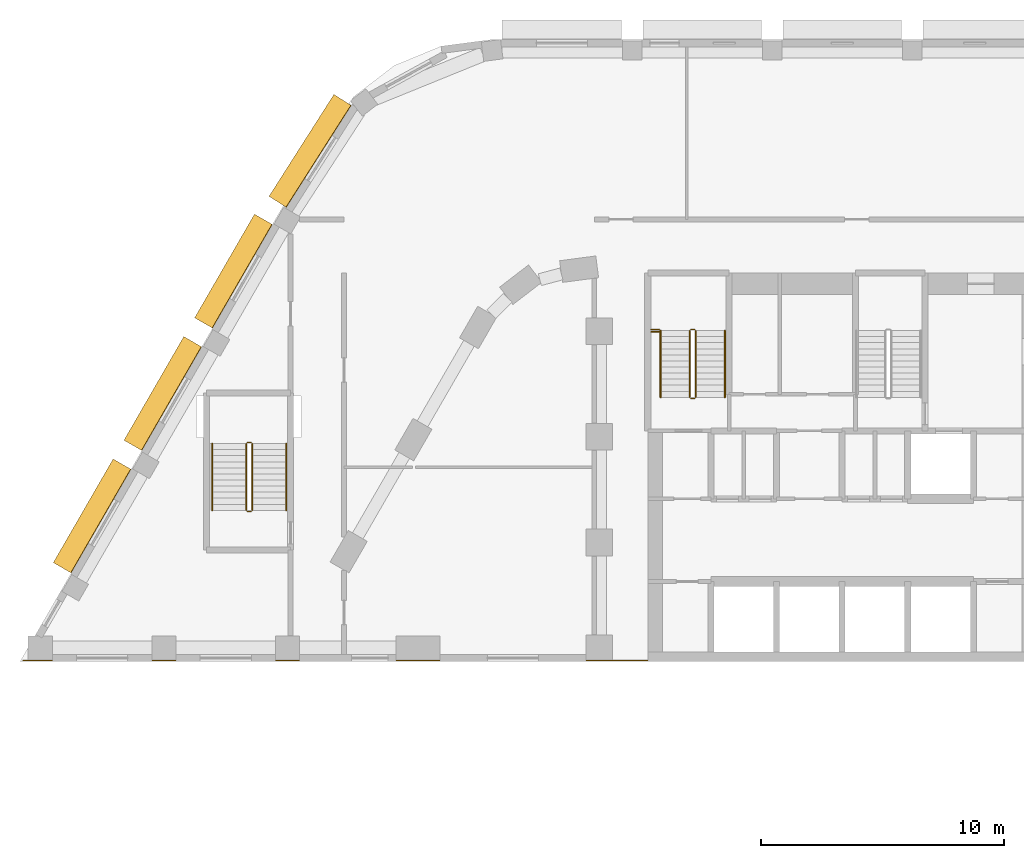
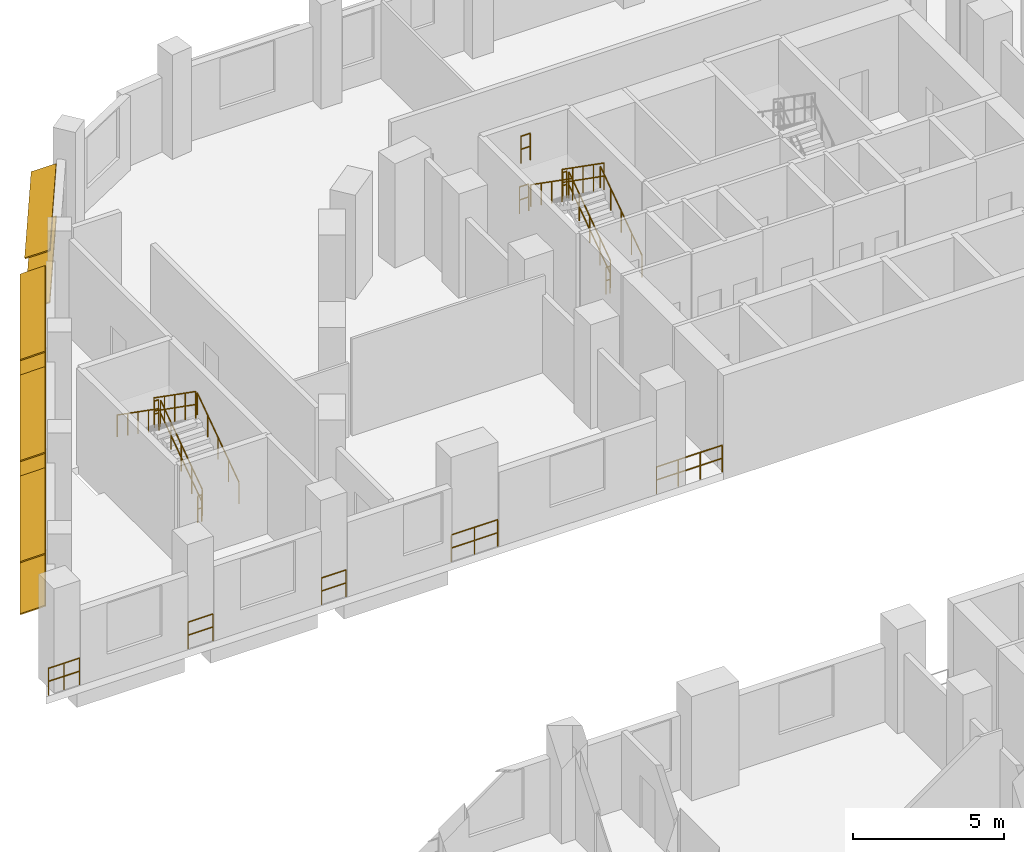
# One storey, part 38 of 45: 19 railings, 8 shading devices.
"""IFC4 building model written with IfcOpenShell, lengths in metres."""

import ifcopenshell
import ifcopenshell.guid

model = None  # the IFC model being written
_history = None  # IfcOwnerHistory: only IFC2X3 demands one
_inside = {}  # id of a spatial element -> (the spatial element, [elements in it])
_under = {}  # id of a project, library or spatial element -> (it, [spatial elements below it])
_declared = {}  # id of a project -> (the project, [libraries it declares])
_typed = {}  # id of a type object -> (the type object, [elements of that type])
_made_of = {}  # id of a material, layer set ... -> (it, [elements and type objects made of it])


def new_model(schema):
    """Start an empty IFC model of exactly this schema.

    Asked for "IFC4X3", IfcOpenShell would pick the latest addendum, in which some entities
    have other attributes; the version numbers below select the first issue.
    IFC2X3 requires an IfcOwnerHistory on every rooted entity: one is made here for all.
    """
    global model, _history
    if schema == "IFC4X3":
        model = ifcopenshell.file(schema_version=(4, 3, 0, 0))
    else:
        model = ifcopenshell.file(schema=schema)
    _inside.clear()
    _under.clear()
    _declared.clear()
    _typed.clear()
    _made_of.clear()
    _history = None
    if model.schema == "IFC2X3":
        org = make("IfcOrganization", Name="unknown")
        user = make(
            "IfcPersonAndOrganization",
            ThePerson=make("IfcPerson", FamilyName="unknown"),
            TheOrganization=org,
        )
        app = make(
            "IfcApplication",
            ApplicationDeveloper=org,
            Version="unknown",
            ApplicationFullName="unknown",
            ApplicationIdentifier="unknown",
        )
        _history = make(
            "IfcOwnerHistory",
            OwningUser=user,
            OwningApplication=app,
            ChangeAction="ADDED",
            CreationDate=0,
        )
    return model


def make(cls, **values):
    """One entity of the class cls with the attributes given. An attribute that is None is left unset."""
    return model.create_entity(
        cls, **{name: value for name, value in values.items() if value is not None}
    )


def rooted(cls, **values):
    """An entity with a GlobalId (a new one), such as an element, a storey or a relation."""
    return make(cls, GlobalId=ifcopenshell.guid.new(), OwnerHistory=_history, **values)


def si_unit(unit_type, name, prefix=None):
    """IfcSIUnit, for example si_unit("LENGTHUNIT", "METRE", prefix="MILLI")."""
    return make("IfcSIUnit", UnitType=unit_type, Prefix=prefix, Name=name)


def assignment(units):
    """IfcUnitAssignment: the units of a project."""
    return None if units is None else make("IfcUnitAssignment", Units=units)


def point(xyz):
    """IfcCartesianPoint."""
    return None if xyz is None else make("IfcCartesianPoint", Coordinates=xyz)


def direction(xyz):
    """IfcDirection."""
    return None if xyz is None else make("IfcDirection", DirectionRatios=xyz)


def frame(location, z_axis=None, x_axis=None):
    """IfcAxis2Placement3D, a coordinate frame: its origin and axes. An axis left out is left unset."""
    return make(
        "IfcAxis2Placement3D",
        Location=point(location),
        Axis=direction(z_axis),
        RefDirection=direction(x_axis),
    )


def frame_2d(location, x_axis=None):
    """IfcAxis2Placement2D, a coordinate frame in the plane: its origin and x axis."""
    return make(
        "IfcAxis2Placement2D", Location=point(location), RefDirection=direction(x_axis)
    )


def origin():
    """The frame at (0, 0, 0) with its axes left unset."""
    return frame((0.0, 0.0, 0.0))


def origin_2d():
    """The frame at (0, 0) in the plane with its x axis left unset."""
    return frame_2d((0.0, 0.0))


def place(relative_to, where):
    """IfcLocalPlacement: puts the frame where relative to a parent placement (None: the world)."""
    return make(
        "IfcLocalPlacement", PlacementRelTo=relative_to, RelativePlacement=where
    )


def context(
    kind, dimensions, precision=None, world=None, true_north=None, identifier=None
):
    """IfcGeometricRepresentationContext, for example the 3D "Model" context."""
    return make(
        "IfcGeometricRepresentationContext",
        ContextIdentifier=identifier,
        ContextType=kind,
        CoordinateSpaceDimension=dimensions,
        Precision=precision,
        WorldCoordinateSystem=world,
        TrueNorth=true_north,
    )


def subcontext(parent, identifier, kind, view, scale=None):
    """IfcGeometricRepresentationSubContext, for example "Body" below "Model"."""
    return make(
        "IfcGeometricRepresentationSubContext",
        ContextIdentifier=identifier,
        ContextType=kind,
        ParentContext=parent,
        TargetScale=scale,
        TargetView=view,
    )


def project(units=None, contexts=None):
    """IfcProject with its units and contexts."""
    return rooted(
        "IfcProject",
        Name="project",
        RepresentationContexts=contexts,
        UnitsInContext=assignment(units),
    )


def spatial(cls, under=None, at=None, **own):
    """A site, building, storey or space (cls), placed at a placement, below another one or the project."""
    s = rooted(cls, ObjectPlacement=at, **own)
    if under is not None:
        _under.setdefault(under.id(), (under, []))[1].append(s)
    return s


def profile(cls, at=None, kind="AREA", **sizes):
    """A parametric profile (cls). Its sizes go by their IFC names, for example OverallWidth=200.0."""
    return make(cls, ProfileType=kind, Position=at, **sizes)


def rectangle(**sizes):
    """IfcRectangleProfileDef."""
    return profile("IfcRectangleProfileDef", **sizes)


def circle(**sizes):
    """IfcCircleProfileDef."""
    return profile("IfcCircleProfileDef", **sizes)


def extrude(swept, where, along, depth):
    """IfcExtrudedAreaSolid: the profile swept, set in the frame where, extruded along a direction by depth."""
    return make(
        "IfcExtrudedAreaSolid",
        SweptArea=swept,
        Position=where,
        ExtrudedDirection=direction(along),
        Depth=depth,
    )


def shape(context_of_items, identifier, shape_type, items):
    """IfcShapeRepresentation: the items that make up one representation, for example the "Body"."""
    return make(
        "IfcShapeRepresentation",
        ContextOfItems=context_of_items,
        RepresentationIdentifier=identifier,
        RepresentationType=shape_type,
        Items=items,
    )


def material(Name=None, Category=None):
    """IfcMaterial."""
    return make("IfcMaterial", Name=Name, Category=Category)


def material_profile(
    of_material, cross_section, Name=None, Category=None, Priority=None
):
    """IfcMaterialProfile: a cross section and its material."""
    return make(
        "IfcMaterialProfile",
        Name=Name,
        Material=of_material,
        Profile=cross_section,
        Priority=Priority,
        Category=Category,
    )


def profile_set(profiles, Name=None, composite=None):
    """IfcMaterialProfileSet."""
    return make(
        "IfcMaterialProfileSet",
        Name=Name,
        MaterialProfiles=profiles,
        CompositeProfile=composite,
    )


def made_of(thing, what):
    """Note that an element or type object is made of a material, layer set ...; save() writes the relation."""
    if what is not None:
        _made_of.setdefault(what.id(), (what, []))[1].append(thing)
    return thing


def type_object(cls, material=None, **own):
    """A type object (cls), such as IfcWallType, which elements share."""
    return made_of(rooted(cls, **own), material)


def element(
    cls,
    number,
    at=None,
    inside=None,
    cuts=None,
    type_object=None,
    material=None,
    context=None,
    identifier="Body",
    shape_type=None,
    held_by="IfcProductDefinitionShape",
    body=None,
    shapes=None,
    **own,
):
    """One element of the class cls, such as IfcWall. Its Tag is "e" and its number.

    at: its placement. inside: the storey or other place that contains it. cuts: it is an
    opening in that element (IfcRelVoidsElement). A single representation is given by context,
    identifier, shape_type and body (its items); several are given by shapes. held_by: the class
    of the entity that holds the representations. save() writes the other relations.
    """
    e = rooted(cls, Tag="e%d" % number, ObjectPlacement=at, **own)
    if body is not None:
        shapes = [shape(context, identifier, shape_type, body)]
    if shapes is not None:
        e.Representation = make(held_by, Representations=shapes)
    if inside is not None:
        _inside.setdefault(inside.id(), (inside, []))[1].append(e)
    if cuts is not None:
        rooted(
            "IfcRelVoidsElement", RelatingBuildingElement=cuts, RelatedOpeningElement=e
        )
    if type_object is not None:
        _typed.setdefault(type_object.id(), (type_object, []))[1].append(e)
    return made_of(e, material)


def aggregate(whole, parts):
    """IfcRelAggregates: a whole, such as a stair, and the parts it consists of."""
    return rooted("IfcRelAggregates", RelatingObject=whole, RelatedObjects=parts)


def save(model, path):
    """Write the relations noted so far, then the file.

    IfcRelAggregates (storeys below a building ...), IfcRelContainedInSpatialStructure (elements
    in a storey), IfcRelDefinesByType, IfcRelAssociatesMaterial and IfcRelDeclares: one each for
    every whole, place, type object, material and project.
    """
    for whole, parts in _under.values():
        aggregate(whole, parts)
    for where, things in _inside.values():
        rooted(
            "IfcRelContainedInSpatialStructure",
            RelatedElements=things,
            RelatingStructure=where,
        )
    for kind, things in _typed.values():
        rooted("IfcRelDefinesByType", RelatedObjects=things, RelatingType=kind)
    for what, things in _made_of.values():
        rooted("IfcRelAssociatesMaterial", RelatedObjects=things, RelatingMaterial=what)
    for by, libraries in _declared.values():
        rooted("IfcRelDeclares", RelatingContext=by, RelatedDefinitions=libraries)
    model.write(path)


model = new_model("IFC4")

# Units and contexts
model_context = context("Model", 3, precision=1e-05, world=origin(), true_north=direction((0.0, 1.0)))
body_context = subcontext(model_context, "Body", "Model", "MODEL_VIEW")
ifc_project = project(units=[si_unit("LENGTHUNIT", "METRE"), si_unit("AREAUNIT", "SQUARE_METRE"), si_unit("VOLUMEUNIT", "CUBIC_METRE"), si_unit("PLANEANGLEUNIT", "RADIAN"), si_unit("MASSUNIT", "GRAM", prefix="KILO")], contexts=[model_context])

# Site, building, storey
site_placement = place(None, origin())
site = spatial("IfcSite", under=ifc_project, at=site_placement, CompositionType="ELEMENT")
building_placement = place(site_placement, origin())
building = spatial("IfcBuilding", under=site, at=building_placement, Name="Nakaniwa Court", CompositionType="ELEMENT")
storey_placement = place(building_placement, frame((0.0, 0.0, 11.39990234375)))
storey = spatial("IfcBuildingStorey", under=building, at=storey_placement, Name="L02", CompositionType="ELEMENT", Elevation=11.39990234375)

# Shading devices
ifc_material_1 = material(Name="Perforated charcoal ceramic louvre blade")
ifc_material_profile = material_profile(ifc_material_1, rectangle(XDim=0.89990234375, YDim=0.050048828125, at=origin_2d()), Name="Perforated ceramic louvre blade")
ifc_profile_set = profile_set([ifc_material_profile], Name="Perforated charcoal ceramic louvre blade")
shading_device_type = type_object("IfcShadingDeviceType", Name="Perforated ceramic louvre blade", PredefinedType="JALOUSIE", material=ifc_profile_set)
for number, where, z_axis, x_axis, name in (
    (1, (56.184814453125, 105.6015625, 0.550048828125), (-0.499988503985, -0.86603204091, 0.0), (0.800109277096, -0.461929145323, 0.382683432365), "L02 perforated ceramic louvre blade w27 1"),
    (2, (56.184814453125, 105.6015625, 2.650146484375), (-0.499988503985, -0.86603204091, 0.0), (0.800109277096, -0.461929145323, 0.382683432365), "L02 perforated ceramic louvre blade w27 2"),
    (3, (53.2763671875, 100.564208984375, 0.550048828125), (-0.499951322638, -0.866053505849, 0.0), (0.800129108113, -0.461894794237, 0.382683432365), "L02 perforated ceramic louvre blade w28 1"),
    (4, (53.2763671875, 100.564208984375, 2.650146484375), (-0.499951322638, -0.866053505849, 0.0), (0.800129108113, -0.461894794237, 0.382683432365), "L02 perforated ceramic louvre blade w28 2"),
    (5, (50.3681640625, 95.526611328125, 0.550048828125), (-0.500009969958, -0.86601964755, 0.0), (0.800097827124, -0.461948977295, 0.382683432365), "L02 perforated ceramic louvre blade w29 1"),
    (6, (50.3681640625, 95.526611328125, 2.650146484375), (-0.500009969958, -0.86601964755, 0.0), (0.800097827124, -0.461948977295, 0.382683432365), "L02 perforated ceramic louvre blade w29 2"),
):
    element("IfcShadingDevice", number, at=place(storey_placement, frame(where, z_axis=z_axis, x_axis=x_axis)), inside=storey, type_object=shading_device_type, Name=name, PredefinedType="JALOUSIE", context=body_context, shape_type="SweptSolid", body=[
        extrude(rectangle(XDim=0.89990234375, YDim=0.050048828125, at=origin_2d()), origin(), (0.0, 0.0, 1.0), 4.9248046875),
    ])
for number, where, z_axis, x_axis, name in (
    (7, (59.44287109375, 110.513427734375, 0.550048828125), (-0.537237750098, -0.843430850675, 0.0), (0.775805827955, -0.494162831713, 0.392337116604), "L02 perforated ceramic louvre blade w53 1"),
    (8, (59.44287109375, 110.513427734375, 2.650146484375), (-0.537237750098, -0.843430850675, 0.0), (0.775805827955, -0.494162831713, 0.392337116604), "L02 perforated ceramic louvre blade w53 2"),
):
    element("IfcShadingDevice", number, at=place(storey_placement, frame(where, z_axis=z_axis, x_axis=x_axis)), inside=storey, type_object=shading_device_type, Name=name, PredefinedType="JALOUSIE", context=body_context, shape_type="SweptSolid", body=[
        extrude(rectangle(XDim=0.89990234375, YDim=0.050048828125, at=origin_2d()), origin(), (0.0, 0.0, 1.0), 4.970703125),
    ])

# Railings
ifc_material_2 = material(Name="Black powder coated steel guard", Category="steel")
railing_type_1 = type_object("IfcRailingType", Name="Stair guard 1100", PredefinedType="GUARDRAIL", material=ifc_material_2)
railing_1_placement = place(storey_placement, frame((73.97509765625, 98.27490234375, 0.175048828125)))
element("IfcRailing", 9, at=railing_1_placement, inside=storey, type_object=railing_type_1, Name="L02 ST1 stair guard 1", PredefinedType="GUARDRAIL", context=body_context, shape_type="SweptSolid", body=[
    extrude(circle(Radius=0.02392578125, at=origin_2d()), frame((0.0, 0.0, 1.076171875), z_axis=(0.0, 0.819225086817, 0.573472106672), x_axis=(-1.0, 0.0, 0.0)), (0.0, 0.0, 1.0), 3.35693359375),
    extrude(circle(Radius=0.02392578125, at=origin_2d()), frame((0.0, 0.0, 0.550048828125), z_axis=(0.0, 0.819225086817, 0.573472106672), x_axis=(-1.0, 0.0, 0.0)), (0.0, 0.0, 1.0), 3.35693359375),
    extrude(circle(Radius=0.02099609375, at=origin_2d()), origin(), (0.0, 0.0, 1.0), 1.052001953125),
    extrude(circle(Radius=0.02099609375, at=origin_2d()), frame((0.0, 0.6875, 0.481201171875)), (0.0, 0.0, 1.0), 1.052001953125),
    extrude(circle(Radius=0.02099609375, at=origin_2d()), frame((0.0, 1.375, 0.96240234375)), (0.0, 0.0, 1.0), 1.052001953125),
    extrude(circle(Radius=0.02099609375, at=origin_2d()), frame((0.0, 2.0625, 1.44384765625)), (0.0, 0.0, 1.0), 1.052001953125),
    extrude(circle(Radius=0.02099609375, at=origin_2d()), frame((0.0, 2.75, 1.925048828125)), (0.0, 0.0, 1.0), 1.052001953125),
])
railing_2_placement = place(storey_placement, frame((73.925048828125, 101.074951171875, 2.10009765625)))
element("IfcRailing", 10, at=railing_2_placement, inside=storey, type_object=railing_type_1, Name="L02 ST1 stair guard 2", PredefinedType="GUARDRAIL", context=body_context, shape_type="SweptSolid", body=[
    extrude(circle(Radius=0.02392578125, at=origin_2d()), frame((0.0, 0.0, 1.076171875), z_axis=(-1.0, 0.0, 0.0), x_axis=(0.0, -1.0, 0.0)), (0.0, 0.0, 1.0), 0.150146484375),
    extrude(circle(Radius=0.02392578125, at=origin_2d()), frame((0.0, 0.0, 0.550048828125), z_axis=(-1.0, 0.0, 0.0), x_axis=(0.0, -1.0, 0.0)), (0.0, 0.0, 1.0), 0.150146484375),
    extrude(circle(Radius=0.02099609375, at=origin_2d()), origin(), (0.0, 0.0, 1.0), 1.052001953125),
    extrude(circle(Radius=0.02099609375, at=origin_2d()), frame((-0.150146484375, 0.0, 0.0)), (0.0, 0.0, 1.0), 1.052001953125),
])
railing_3_placement = place(storey_placement, frame((73.72509765625, 101.02490234375, 2.275146484375)))
element("IfcRailing", 11, at=railing_3_placement, inside=storey, type_object=railing_type_1, Name="L02 ST1 stair guard 3", PredefinedType="GUARDRAIL", context=body_context, shape_type="SweptSolid", body=[
    extrude(circle(Radius=0.02392578125, at=origin_2d()), frame((0.0, 0.0, 1.076171875), z_axis=(0.0, -0.819225086817, 0.573472106672), x_axis=(1.0, 0.0, 0.0)), (0.0, 0.0, 1.0), 3.35693359375),
    extrude(circle(Radius=0.02392578125, at=origin_2d()), frame((0.0, 0.0, 0.550048828125), z_axis=(0.0, -0.819225086817, 0.573472106672), x_axis=(1.0, 0.0, 0.0)), (0.0, 0.0, 1.0), 3.35693359375),
    extrude(circle(Radius=0.02099609375, at=origin_2d()), origin(), (0.0, 0.0, 1.0), 1.052001953125),
    extrude(circle(Radius=0.02099609375, at=origin_2d()), frame((0.0, -0.6875, 0.481201171875)), (0.0, 0.0, 1.0), 1.052001953125),
    extrude(circle(Radius=0.02099609375, at=origin_2d()), frame((0.0, -1.375, 0.96240234375)), (0.0, 0.0, 1.0), 1.052001953125),
    extrude(circle(Radius=0.02099609375, at=origin_2d()), frame((0.0, -2.0625, 1.44384765625)), (0.0, 0.0, 1.0), 1.052001953125),
    extrude(circle(Radius=0.02099609375, at=origin_2d()), frame((0.0, -2.75, 1.925048828125)), (0.0, 0.0, 1.0), 1.052001953125),
])
railing_4_placement = place(storey_placement, frame((73.925048828125, 98.22509765625, 0.0)))
element("IfcRailing", 12, at=railing_4_placement, inside=storey, type_object=railing_type_1, Name="L02 ST1 stair guard 4", PredefinedType="GUARDRAIL", context=body_context, shape_type="SweptSolid", body=[
    extrude(circle(Radius=0.02392578125, at=origin_2d()), frame((0.0, 0.0, 1.076171875), z_axis=(-1.0, 0.0, 0.0), x_axis=(0.0, -1.0, 0.0)), (0.0, 0.0, 1.0), 0.150146484375),
    extrude(circle(Radius=0.02392578125, at=origin_2d()), frame((0.0, 0.0, 0.550048828125), z_axis=(-1.0, 0.0, 0.0), x_axis=(0.0, -1.0, 0.0)), (0.0, 0.0, 1.0), 0.150146484375),
    extrude(circle(Radius=0.02099609375, at=origin_2d()), origin(), (0.0, 0.0, 1.0), 1.052001953125),
    extrude(circle(Radius=0.02099609375, at=origin_2d()), frame((-0.150146484375, 0.0, 0.0)), (0.0, 0.0, 1.0), 1.052001953125),
])
for number, where, name in (
    (13, (72.125, 101.074951171875, 2.10009765625), "L02 ST1 landing side guard 1W"),
    (14, (72.125, 100.97509765625, 4.2001953125), "L02 ST1 floor edge guard 1W"),
):
    element("IfcRailing", number, at=place(storey_placement, frame(where)), inside=storey, type_object=railing_type_1, Name=name, PredefinedType="GUARDRAIL", context=body_context, shape_type="SweptSolid", body=[
        extrude(circle(Radius=0.02392578125, at=origin_2d()), frame((0.0, 0.0, 1.076171875), z_axis=(1.0, 0.0, 0.0), x_axis=(0.0, 1.0, 0.0)), (0.0, 0.0, 1.0), 0.35009765625),
        extrude(circle(Radius=0.02392578125, at=origin_2d()), frame((0.0, 0.0, 0.550048828125), z_axis=(1.0, 0.0, 0.0), x_axis=(0.0, 1.0, 0.0)), (0.0, 0.0, 1.0), 0.35009765625),
        extrude(circle(Radius=0.02099609375, at=origin_2d()), origin(), (0.0, 0.0, 1.0), 1.052001953125),
        extrude(circle(Radius=0.02099609375, at=origin_2d()), frame((0.35009765625, 0.0, 0.0)), (0.0, 0.0, 1.0), 1.052001953125),
    ])
railing_5_placement = place(storey_placement, frame((55.72509765625, 93.625, 0.175048828125)))
element("IfcRailing", 15, at=railing_5_placement, inside=storey, type_object=railing_type_1, Name="L02 SS2 stair guard 1", PredefinedType="GUARDRAIL", context=body_context, shape_type="SweptSolid", body=[
    extrude(circle(Radius=0.02392578125, at=origin_2d()), frame((0.0, 0.0, 1.076171875), z_axis=(0.0, 0.819225086817, 0.573472106672), x_axis=(-1.0, 0.0, 0.0)), (0.0, 0.0, 1.0), 3.35693359375),
    extrude(circle(Radius=0.02392578125, at=origin_2d()), frame((0.0, 0.0, 0.550048828125), z_axis=(0.0, 0.819225086817, 0.573472106672), x_axis=(-1.0, 0.0, 0.0)), (0.0, 0.0, 1.0), 3.35693359375),
    extrude(circle(Radius=0.02099609375, at=origin_2d()), origin(), (0.0, 0.0, 1.0), 1.052001953125),
    extrude(circle(Radius=0.02099609375, at=origin_2d()), frame((0.0, 0.6875, 0.481201171875)), (0.0, 0.0, 1.0), 1.052001953125),
    extrude(circle(Radius=0.02099609375, at=origin_2d()), frame((0.0, 1.375, 0.96240234375)), (0.0, 0.0, 1.0), 1.052001953125),
    extrude(circle(Radius=0.02099609375, at=origin_2d()), frame((0.0, 2.0625, 1.44384765625)), (0.0, 0.0, 1.0), 1.052001953125),
    extrude(circle(Radius=0.02099609375, at=origin_2d()), frame((0.0, 2.75, 1.925048828125)), (0.0, 0.0, 1.0), 1.052001953125),
])
railing_6_placement = place(storey_placement, frame((55.675048828125, 96.425048828125, 2.10009765625)))
element("IfcRailing", 16, at=railing_6_placement, inside=storey, type_object=railing_type_1, Name="L02 SS2 stair guard 2", PredefinedType="GUARDRAIL", context=body_context, shape_type="SweptSolid", body=[
    extrude(circle(Radius=0.02392578125, at=origin_2d()), frame((0.0, 0.0, 1.076171875), z_axis=(-1.0, 0.0, 0.0), x_axis=(0.0, -1.0, 0.0)), (0.0, 0.0, 1.0), 0.150146484375),
    extrude(circle(Radius=0.02392578125, at=origin_2d()), frame((0.0, 0.0, 0.550048828125), z_axis=(-1.0, 0.0, 0.0), x_axis=(0.0, -1.0, 0.0)), (0.0, 0.0, 1.0), 0.150146484375),
    extrude(circle(Radius=0.02099609375, at=origin_2d()), origin(), (0.0, 0.0, 1.0), 1.052001953125),
    extrude(circle(Radius=0.02099609375, at=origin_2d()), frame((-0.150146484375, 0.0, 0.0)), (0.0, 0.0, 1.0), 1.052001953125),
])
railing_7_placement = place(storey_placement, frame((55.47509765625, 96.375, 2.275146484375)))
element("IfcRailing", 17, at=railing_7_placement, inside=storey, type_object=railing_type_1, Name="L02 SS2 stair guard 3", PredefinedType="GUARDRAIL", context=body_context, shape_type="SweptSolid", body=[
    extrude(circle(Radius=0.02392578125, at=origin_2d()), frame((0.0, 0.0, 1.076171875), z_axis=(0.0, -0.819225086817, 0.573472106672), x_axis=(1.0, 0.0, 0.0)), (0.0, 0.0, 1.0), 3.35693359375),
    extrude(circle(Radius=0.02392578125, at=origin_2d()), frame((0.0, 0.0, 0.550048828125), z_axis=(0.0, -0.819225086817, 0.573472106672), x_axis=(1.0, 0.0, 0.0)), (0.0, 0.0, 1.0), 3.35693359375),
    extrude(circle(Radius=0.02099609375, at=origin_2d()), origin(), (0.0, 0.0, 1.0), 1.052001953125),
    extrude(circle(Radius=0.02099609375, at=origin_2d()), frame((0.0, -0.6875, 0.481201171875)), (0.0, 0.0, 1.0), 1.052001953125),
    extrude(circle(Radius=0.02099609375, at=origin_2d()), frame((0.0, -1.375, 0.96240234375)), (0.0, 0.0, 1.0), 1.052001953125),
    extrude(circle(Radius=0.02099609375, at=origin_2d()), frame((0.0, -2.0625, 1.44384765625)), (0.0, 0.0, 1.0), 1.052001953125),
    extrude(circle(Radius=0.02099609375, at=origin_2d()), frame((0.0, -2.75, 1.925048828125)), (0.0, 0.0, 1.0), 1.052001953125),
])
railing_8_placement = place(storey_placement, frame((55.675048828125, 93.574951171875, 0.0)))
element("IfcRailing", 18, at=railing_8_placement, inside=storey, type_object=railing_type_1, Name="L02 SS2 stair guard 4", PredefinedType="GUARDRAIL", context=body_context, shape_type="SweptSolid", body=[
    extrude(circle(Radius=0.02392578125, at=origin_2d()), frame((0.0, 0.0, 1.076171875), z_axis=(-1.0, 0.0, 0.0), x_axis=(0.0, -1.0, 0.0)), (0.0, 0.0, 1.0), 0.150146484375),
    extrude(circle(Radius=0.02392578125, at=origin_2d()), frame((0.0, 0.0, 0.550048828125), z_axis=(-1.0, 0.0, 0.0), x_axis=(0.0, -1.0, 0.0)), (0.0, 0.0, 1.0), 0.150146484375),
    extrude(circle(Radius=0.02099609375, at=origin_2d()), origin(), (0.0, 0.0, 1.0), 1.052001953125),
    extrude(circle(Radius=0.02099609375, at=origin_2d()), frame((-0.150146484375, 0.0, 0.0)), (0.0, 0.0, 1.0), 1.052001953125),
])
railing_9_placement = place(storey_placement, frame((71.985107421875, 87.449951171875, 0.0)))
element("IfcRailing", 19, at=railing_9_placement, inside=storey, type_object=railing_type_1, Name="GUARD GD-L02-036", PredefinedType="GUARDRAIL", context=body_context, shape_type="SweptSolid", body=[
    extrude(circle(Radius=0.02392578125, at=origin_2d()), frame((0.0, 0.0, 1.076171875), z_axis=(-1.0, 0.0, 0.0), x_axis=(0.0, -1.0, 0.0)), (0.0, 0.0, 1.0), 2.507080078125),
    extrude(circle(Radius=0.02392578125, at=origin_2d()), frame((0.0, 0.0, 0.550048828125), z_axis=(-1.0, 0.0, 0.0), x_axis=(0.0, -1.0, 0.0)), (0.0, 0.0, 1.0), 2.507080078125),
    extrude(circle(Radius=0.02099609375, at=origin_2d()), origin(), (0.0, 0.0, 1.0), 1.052001953125),
    extrude(circle(Radius=0.02099609375, at=origin_2d()), frame((-0.835693359375, 0.0, 0.0)), (0.0, 0.0, 1.0), 1.052001953125),
    extrude(circle(Radius=0.02099609375, at=origin_2d()), frame((-1.67138671875, 0.0, 0.0)), (0.0, 0.0, 1.0), 1.052001953125),
    extrude(circle(Radius=0.02099609375, at=origin_2d()), frame((-2.507080078125, 0.0, 0.0)), (0.0, 0.0, 1.0), 1.052001953125),
])
railing_10_placement = place(storey_placement, frame((63.426025390625, 87.449951171875, 0.0)))
element("IfcRailing", 20, at=railing_10_placement, inside=storey, type_object=railing_type_1, Name="GUARD GD-L02-037", PredefinedType="GUARDRAIL", context=body_context, shape_type="SweptSolid", body=[
    extrude(circle(Radius=0.02392578125, at=origin_2d()), frame((0.0, 0.0, 1.076171875), z_axis=(-1.0, 0.0, 0.0), x_axis=(0.0, -1.0, 0.0)), (0.0, 0.0, 1.0), 1.768310546875),
    extrude(circle(Radius=0.02392578125, at=origin_2d()), frame((0.0, 0.0, 0.550048828125), z_axis=(-1.0, 0.0, 0.0), x_axis=(0.0, -1.0, 0.0)), (0.0, 0.0, 1.0), 1.768310546875),
    extrude(circle(Radius=0.02099609375, at=origin_2d()), origin(), (0.0, 0.0, 1.0), 1.052001953125),
    extrude(circle(Radius=0.02099609375, at=origin_2d()), frame((-0.88427734375, 0.0, 0.0)), (0.0, 0.0, 1.0), 1.052001953125),
    extrude(circle(Radius=0.02099609375, at=origin_2d()), frame((-1.768310546875, 0.0, 0.0)), (0.0, 0.0, 1.0), 1.052001953125),
])
railing_11_placement = place(storey_placement, frame((57.643310546875, 87.449951171875, 0.0)))
element("IfcRailing", 21, at=railing_11_placement, inside=storey, type_object=railing_type_1, Name="GUARD GD-L02-038", PredefinedType="GUARDRAIL", context=body_context, shape_type="SweptSolid", body=[
    extrude(circle(Radius=0.02392578125, at=origin_2d()), frame((0.0, 0.0, 1.076171875), z_axis=(-1.0, 0.0, 0.0), x_axis=(0.0, -1.0, 0.0)), (0.0, 0.0, 1.0), 0.939453125),
    extrude(circle(Radius=0.02392578125, at=origin_2d()), frame((0.0, 0.0, 0.550048828125), z_axis=(-1.0, 0.0, 0.0), x_axis=(0.0, -1.0, 0.0)), (0.0, 0.0, 1.0), 0.939453125),
    extrude(circle(Radius=0.02099609375, at=origin_2d()), origin(), (0.0, 0.0, 1.0), 1.052001953125),
    extrude(circle(Radius=0.02099609375, at=origin_2d()), frame((-0.939453125, 0.0, 0.0)), (0.0, 0.0, 1.0), 1.052001953125),
])
railing_12_placement = place(storey_placement, frame((52.569580078125, 87.449951171875, 0.0)))
element("IfcRailing", 22, at=railing_12_placement, inside=storey, type_object=railing_type_1, Name="GUARD GD-L02-039", PredefinedType="GUARDRAIL", context=body_context, shape_type="SweptSolid", body=[
    extrude(circle(Radius=0.02392578125, at=origin_2d()), frame((0.0, 0.0, 1.076171875), z_axis=(-1.0, 0.0, 0.0), x_axis=(0.0, -1.0, 0.0)), (0.0, 0.0, 1.0), 0.95947265625),
    extrude(circle(Radius=0.02392578125, at=origin_2d()), frame((0.0, 0.0, 0.550048828125), z_axis=(-1.0, 0.0, 0.0), x_axis=(0.0, -1.0, 0.0)), (0.0, 0.0, 1.0), 0.95947265625),
    extrude(circle(Radius=0.02099609375, at=origin_2d()), origin(), (0.0, 0.0, 1.0), 1.052001953125),
    extrude(circle(Radius=0.02099609375, at=origin_2d()), frame((-0.95947265625, 0.0, 0.0)), (0.0, 0.0, 1.0), 1.052001953125),
])
railing_13_placement = place(storey_placement, frame((47.486083984375, 87.449951171875, 0.0)))
element("IfcRailing", 23, at=railing_13_placement, inside=storey, type_object=railing_type_1, Name="GUARD GD-L02-040", PredefinedType="GUARDRAIL", context=body_context, shape_type="SweptSolid", body=[
    extrude(circle(Radius=0.02392578125, at=origin_2d()), frame((0.0, 0.0, 1.076171875), z_axis=(-1.0, 0.0, 0.0), x_axis=(0.0, -1.0, 0.0)), (0.0, 0.0, 1.0), 1.18896484375),
    extrude(circle(Radius=0.02392578125, at=origin_2d()), frame((0.0, 0.0, 0.550048828125), z_axis=(-1.0, 0.0, 0.0), x_axis=(0.0, -1.0, 0.0)), (0.0, 0.0, 1.0), 1.18896484375),
    extrude(circle(Radius=0.02099609375, at=origin_2d()), origin(), (0.0, 0.0, 1.0), 1.052001953125),
    extrude(circle(Radius=0.02099609375, at=origin_2d()), frame((-0.594482421875, 0.0, 0.0)), (0.0, 0.0, 1.0), 1.052001953125),
    extrude(circle(Radius=0.02099609375, at=origin_2d()), frame((-1.18896484375, 0.0, 0.0)), (0.0, 0.0, 1.0), 1.052001953125),
])
ifc_material_3 = material(Name="Black powder coated steel handrail", Category="steel")
railing_type_2 = type_object("IfcRailingType", Name="Stair handrail 900", PredefinedType="HANDRAIL", material=ifc_material_3)
railing_14_placement = place(storey_placement, frame((75.175048828125, 98.27490234375, 0.175048828125)))
element("IfcRailing", 24, at=railing_14_placement, inside=storey, type_object=railing_type_2, Name="L02 ST1 stair handrail 1", PredefinedType="HANDRAIL", context=body_context, shape_type="SweptSolid", body=[
    extrude(circle(Radius=0.02392578125, at=origin_2d()), frame((0.0, 0.0, 0.8759765625), z_axis=(0.0, 0.819225086817, 0.573472106672), x_axis=(-1.0, 0.0, 0.0)), (0.0, 0.0, 1.0), 3.35693359375),
    extrude(circle(Radius=0.02099609375, at=origin_2d()), origin(), (0.0, 0.0, 1.0), 0.851806640625),
    extrude(circle(Radius=0.02099609375, at=origin_2d()), frame((0.0, 0.6875, 0.481201171875)), (0.0, 0.0, 1.0), 0.851806640625),
    extrude(circle(Radius=0.02099609375, at=origin_2d()), frame((0.0, 1.375, 0.96240234375)), (0.0, 0.0, 1.0), 0.851806640625),
    extrude(circle(Radius=0.02099609375, at=origin_2d()), frame((0.0, 2.0625, 1.44384765625)), (0.0, 0.0, 1.0), 0.851806640625),
    extrude(circle(Radius=0.02099609375, at=origin_2d()), frame((0.0, 2.75, 1.925048828125)), (0.0, 0.0, 1.0), 0.851806640625),
])
railing_15_placement = place(storey_placement, frame((72.52490234375, 101.02490234375, 2.275146484375)))
element("IfcRailing", 25, at=railing_15_placement, inside=storey, type_object=railing_type_2, Name="L02 ST1 stair handrail 2", PredefinedType="HANDRAIL", context=body_context, shape_type="SweptSolid", body=[
    extrude(circle(Radius=0.02392578125, at=origin_2d()), frame((0.0, 0.0, 0.8759765625), z_axis=(0.0, -0.819225086817, 0.573472106672), x_axis=(1.0, 0.0, 0.0)), (0.0, 0.0, 1.0), 3.35693359375),
    extrude(circle(Radius=0.02099609375, at=origin_2d()), origin(), (0.0, 0.0, 1.0), 0.851806640625),
    extrude(circle(Radius=0.02099609375, at=origin_2d()), frame((0.0, -0.6875, 0.481201171875)), (0.0, 0.0, 1.0), 0.851806640625),
    extrude(circle(Radius=0.02099609375, at=origin_2d()), frame((0.0, -1.375, 0.96240234375)), (0.0, 0.0, 1.0), 0.851806640625),
    extrude(circle(Radius=0.02099609375, at=origin_2d()), frame((0.0, -2.0625, 1.44384765625)), (0.0, 0.0, 1.0), 0.851806640625),
    extrude(circle(Radius=0.02099609375, at=origin_2d()), frame((0.0, -2.75, 1.925048828125)), (0.0, 0.0, 1.0), 0.851806640625),
])
railing_16_placement = place(storey_placement, frame((57.125, 93.625, 0.175048828125)))
element("IfcRailing", 26, at=railing_16_placement, inside=storey, type_object=railing_type_2, Name="L02 SS2 stair handrail 1", PredefinedType="HANDRAIL", context=body_context, shape_type="SweptSolid", body=[
    extrude(circle(Radius=0.02392578125, at=origin_2d()), frame((0.0, 0.0, 0.8759765625), z_axis=(0.0, 0.819225086817, 0.573472106672), x_axis=(-1.0, 0.0, 0.0)), (0.0, 0.0, 1.0), 3.35693359375),
    extrude(circle(Radius=0.02099609375, at=origin_2d()), origin(), (0.0, 0.0, 1.0), 0.851806640625),
    extrude(circle(Radius=0.02099609375, at=origin_2d()), frame((0.0, 0.6875, 0.481201171875)), (0.0, 0.0, 1.0), 0.851806640625),
    extrude(circle(Radius=0.02099609375, at=origin_2d()), frame((0.0, 1.375, 0.96240234375)), (0.0, 0.0, 1.0), 0.851806640625),
    extrude(circle(Radius=0.02099609375, at=origin_2d()), frame((0.0, 2.0625, 1.44384765625)), (0.0, 0.0, 1.0), 0.851806640625),
    extrude(circle(Radius=0.02099609375, at=origin_2d()), frame((0.0, 2.75, 1.925048828125)), (0.0, 0.0, 1.0), 0.851806640625),
])
railing_17_placement = place(storey_placement, frame((54.074951171875, 96.375, 2.275146484375)))
element("IfcRailing", 27, at=railing_17_placement, inside=storey, type_object=railing_type_2, Name="L02 SS2 stair handrail 2", PredefinedType="HANDRAIL", context=body_context, shape_type="SweptSolid", body=[
    extrude(circle(Radius=0.02392578125, at=origin_2d()), frame((0.0, 0.0, 0.8759765625), z_axis=(0.0, -0.819225086817, 0.573472106672), x_axis=(1.0, 0.0, 0.0)), (0.0, 0.0, 1.0), 3.35693359375),
    extrude(circle(Radius=0.02099609375, at=origin_2d()), origin(), (0.0, 0.0, 1.0), 0.851806640625),
    extrude(circle(Radius=0.02099609375, at=origin_2d()), frame((0.0, -0.6875, 0.481201171875)), (0.0, 0.0, 1.0), 0.851806640625),
    extrude(circle(Radius=0.02099609375, at=origin_2d()), frame((0.0, -1.375, 0.96240234375)), (0.0, 0.0, 1.0), 0.851806640625),
    extrude(circle(Radius=0.02099609375, at=origin_2d()), frame((0.0, -2.0625, 1.44384765625)), (0.0, 0.0, 1.0), 0.851806640625),
    extrude(circle(Radius=0.02099609375, at=origin_2d()), frame((0.0, -2.75, 1.925048828125)), (0.0, 0.0, 1.0), 0.851806640625),
])

save(model, "model.ifc")
